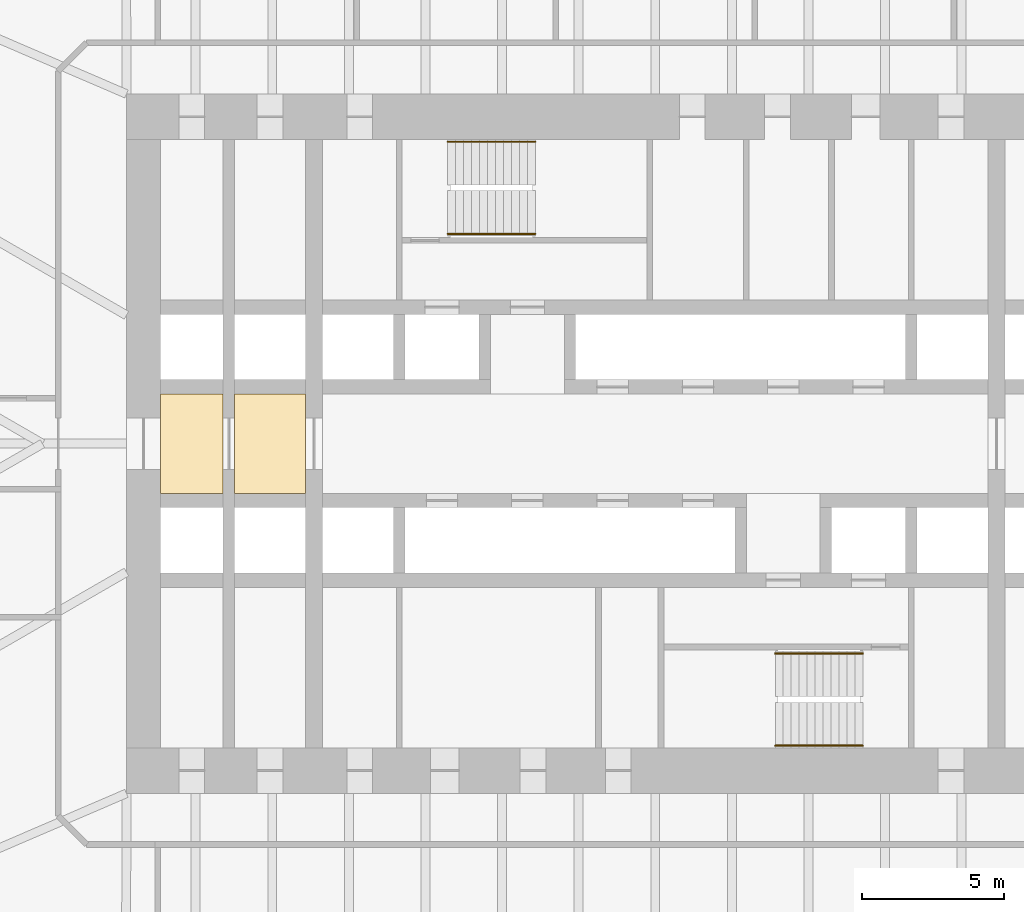
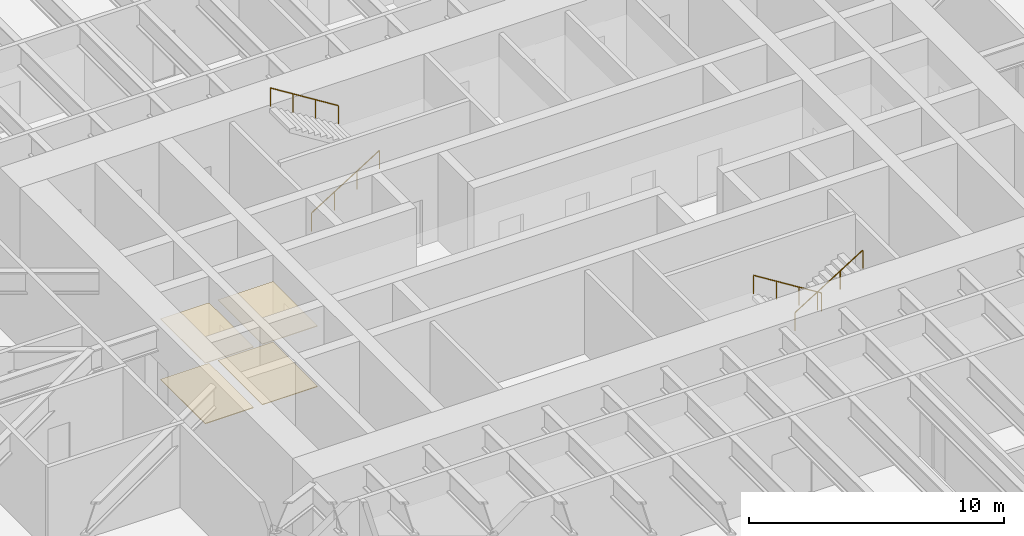
# One storey, part 21 of 23: 4 coverings, 4 railings.
"""IFC4 building model written with IfcOpenShell, lengths in metres."""

from ifc_helpers import new_model, si_unit, direction, frame, origin, origin_2d, place, context, subcontext, project, spatial, polyline, circle, outline, extrude, material, layer, layer_set, type_object, element, save


model = new_model("IFC4")

# Units and contexts
model_context = context("Model", 3, precision=1e-05, world=origin(), true_north=direction((0.0, 1.0)))
body_context = subcontext(model_context, "Body", "Model", "MODEL_VIEW")
ifc_project = project(units=[si_unit("LENGTHUNIT", "METRE"), si_unit("AREAUNIT", "SQUARE_METRE"), si_unit("VOLUMEUNIT", "CUBIC_METRE"), si_unit("PLANEANGLEUNIT", "RADIAN"), si_unit("MASSUNIT", "GRAM", prefix="KILO")], contexts=[model_context])

# Site, building, storey
site_placement = place(None, origin())
site = spatial("IfcSite", under=ifc_project, at=site_placement, CompositionType="ELEMENT")
building_placement = place(site_placement, origin())
building = spatial("IfcBuilding", under=site, at=building_placement, Name="Tarfa Lantern Tower", CompositionType="ELEMENT")
storey_placement = place(building_placement, frame((0.0, 0.0, 61.300048828125)))
storey = spatial("IfcBuildingStorey", under=building, at=storey_placement, Name="L13", CompositionType="ELEMENT", Elevation=61.300048828125)

# Coverings
ifc_material_1 = material(Name="Powder-coated aluminium panel", Category="aluminium")
ifc_layer_1 = layer(ifc_material_1, 0.030029296875)
ifc_layer_set_1 = layer_set([ifc_layer_1], Name="CL3 METAL PANEL CEILING 30")
covering_type_1 = type_object("IfcCoveringType", Name="CL3 METAL PANEL CEILING 30", PredefinedType="CEILING", material=ifc_layer_set_1)
covering_1_placement = place(storey_placement, frame((0.0, 0.0, 2.89990234375)))
element("IfcCovering", 1, at=covering_1_placement, inside=storey, type_object=covering_type_1, Name="Ceiling L13-01", PredefinedType="CEILING", context=body_context, shape_type="SweptSolid", body=[
    extrude(outline(polyline([(-17.39990234375, -1.75), (-15.199951171875, -1.75), (-15.199951171875, 1.75), (-17.39990234375, 1.75), (-17.39990234375, -1.75)])), origin(), (0.0, 0.0, 1.0), 0.030029296875),
])
covering_2_placement = place(storey_placement, frame((0.0, 0.0, 2.89990234375)))
element("IfcCovering", 2, at=covering_2_placement, inside=storey, type_object=covering_type_1, Name="Ceiling L13-02", PredefinedType="CEILING", context=body_context, shape_type="SweptSolid", body=[
    extrude(outline(polyline([(-14.800048828125, -1.75), (-12.300048828125, -1.75), (-12.300048828125, 1.75), (-14.800048828125, 1.75), (-14.800048828125, -1.75)])), origin(), (0.0, 0.0, 1.0), 0.030029296875),
])
ifc_material_2 = material(Name="Honed limestone flooring", Category="masonry")
ifc_layer_2 = layer(ifc_material_2, 0.030029296875)
ifc_layer_set_2 = layer_set([ifc_layer_2], Name="FL2 STONE FLOORING 30")
covering_type_2 = type_object("IfcCoveringType", Name="FL2 STONE FLOORING 30", PredefinedType="FLOORING", material=ifc_layer_set_2)
covering_3_placement = place(storey_placement, origin())
element("IfcCovering", 3, at=covering_3_placement, inside=storey, type_object=covering_type_2, Name="Floor finish L13-01", PredefinedType="FLOORING", context=body_context, shape_type="SweptSolid", body=[
    extrude(outline(polyline([(-17.39990234375, -1.75), (-15.199951171875, -1.75), (-15.199951171875, 1.75), (-17.39990234375, 1.75), (-17.39990234375, -1.75)])), origin(), (0.0, 0.0, 1.0), 0.030029296875),
])
covering_4_placement = place(storey_placement, origin())
element("IfcCovering", 4, at=covering_4_placement, inside=storey, type_object=covering_type_2, Name="Floor finish L13-02", PredefinedType="FLOORING", context=body_context, shape_type="SweptSolid", body=[
    extrude(outline(polyline([(-14.800048828125, -1.75), (-12.300048828125, -1.75), (-12.300048828125, 1.75), (-14.800048828125, 1.75), (-14.800048828125, -1.75)])), origin(), (0.0, 0.0, 1.0), 0.030029296875),
])

# Railings
ifc_material_3 = material(Name="Stainless steel", Category="steel")
railing_type = type_object("IfcRailingType", Name="HR1 HANDRAIL 900", PredefinedType="HANDRAIL", material=ifc_material_3)
railing_1_placement = place(storey_placement, frame((-7.300048828125, 7.3798828125, 0.175048828125)))
element("IfcRailing", 5, at=railing_1_placement, inside=storey, type_object=railing_type, Name="Handrail 1", PredefinedType="HANDRAIL", context=body_context, shape_type="SweptSolid", body=[
    extrude(circle(Radius=0.02392578125, at=origin_2d()), frame((0.0, 0.0, 0.8759765625), z_axis=(0.848028513186, 0.0, 0.529950602248), x_axis=(0.0, 1.0, 0.0)), (0.0, 0.0, 1.0), 3.632080078125),
    extrude(circle(Radius=0.02099609375, at=origin_2d()), frame((0.0, 0.0, 0.0), z_axis=(0.0, 0.0, 1.0), x_axis=(0.0, 1.0, 0.0)), (0.0, 0.0, 1.0), 0.851806640625),
    extrude(circle(Radius=0.02099609375, at=origin_2d()), frame((1.026611328125, 0.0, 0.6416015625), z_axis=(0.0, 0.0, 1.0), x_axis=(0.0, 1.0, 0.0)), (0.0, 0.0, 1.0), 0.851806640625),
    extrude(circle(Radius=0.02099609375, at=origin_2d()), frame((2.053466796875, 0.0, 1.283203125), z_axis=(0.0, 0.0, 1.0), x_axis=(0.0, 1.0, 0.0)), (0.0, 0.0, 1.0), 0.851806640625),
    extrude(circle(Radius=0.02099609375, at=origin_2d()), frame((3.080078125, 0.0, 1.9248046875), z_axis=(0.0, 0.0, 1.0), x_axis=(0.0, 1.0, 0.0)), (0.0, 0.0, 1.0), 0.851806640625),
])
railing_2_placement = place(storey_placement, frame((-4.219970703125, 10.6201171875, 2.27490234375)))
element("IfcRailing", 6, at=railing_2_placement, inside=storey, type_object=railing_type, Name="Handrail 2", PredefinedType="HANDRAIL", context=body_context, shape_type="SweptSolid", body=[
    extrude(circle(Radius=0.02392578125, at=origin_2d()), frame((0.0, 0.0, 0.8759765625), z_axis=(-0.847998304005, 0.0, 0.529998940003), x_axis=(0.0, -1.0, 0.0)), (0.0, 0.0, 1.0), 3.632080078125),
    extrude(circle(Radius=0.02099609375, at=origin_2d()), frame((0.0, 0.0, 0.0), z_axis=(0.0, 0.0, 1.0), x_axis=(0.0, -1.0, 0.0)), (0.0, 0.0, 1.0), 0.851806640625),
    extrude(circle(Radius=0.02099609375, at=origin_2d()), frame((-1.026611328125, 0.0, 0.6416015625), z_axis=(0.0, 0.0, 1.0), x_axis=(0.0, -1.0, 0.0)), (0.0, 0.0, 1.0), 0.851806640625),
    extrude(circle(Radius=0.02099609375, at=origin_2d()), frame((-2.053466796875, 0.0, 1.283447265625), z_axis=(0.0, 0.0, 1.0), x_axis=(0.0, -1.0, 0.0)), (0.0, 0.0, 1.0), 0.851806640625),
    extrude(circle(Radius=0.02099609375, at=origin_2d()), frame((-3.080078125, 0.0, 1.925048828125), z_axis=(0.0, 0.0, 1.0), x_axis=(0.0, -1.0, 0.0)), (0.0, 0.0, 1.0), 0.851806640625),
])
railing_3_placement = place(storey_placement, frame((7.300048828125, -7.3798828125, 0.175048828125)))
element("IfcRailing", 7, at=railing_3_placement, inside=storey, type_object=railing_type, Name="Handrail 1", PredefinedType="HANDRAIL", context=body_context, shape_type="SweptSolid", body=[
    extrude(circle(Radius=0.02392578125, at=origin_2d()), frame((0.0, 0.0, 0.8759765625), z_axis=(-0.848028513186, 0.0, 0.529950602248), x_axis=(0.0, -1.0, 0.0)), (0.0, 0.0, 1.0), 3.632080078125),
    extrude(circle(Radius=0.02099609375, at=origin_2d()), frame((0.0, 0.0, 0.0), z_axis=(0.0, 0.0, 1.0), x_axis=(0.0, -1.0, 0.0)), (0.0, 0.0, 1.0), 0.851806640625),
    extrude(circle(Radius=0.02099609375, at=origin_2d()), frame((-1.026611328125, 0.0, 0.6416015625), z_axis=(0.0, 0.0, 1.0), x_axis=(0.0, -1.0, 0.0)), (0.0, 0.0, 1.0), 0.851806640625),
    extrude(circle(Radius=0.02099609375, at=origin_2d()), frame((-2.053466796875, 0.0, 1.283203125), z_axis=(0.0, 0.0, 1.0), x_axis=(0.0, -1.0, 0.0)), (0.0, 0.0, 1.0), 0.851806640625),
    extrude(circle(Radius=0.02099609375, at=origin_2d()), frame((-3.080078125, 0.0, 1.9248046875), z_axis=(0.0, 0.0, 1.0), x_axis=(0.0, -1.0, 0.0)), (0.0, 0.0, 1.0), 0.851806640625),
])
railing_4_placement = place(storey_placement, frame((4.219970703125, -10.6201171875, 2.27490234375)))
element("IfcRailing", 8, at=railing_4_placement, inside=storey, type_object=railing_type, Name="Handrail 2", PredefinedType="HANDRAIL", context=body_context, shape_type="SweptSolid", body=[
    extrude(circle(Radius=0.02392578125, at=origin_2d()), frame((0.0, 0.0, 0.8759765625), z_axis=(0.847998304005, 0.0, 0.529998940003), x_axis=(0.0, 1.0, 0.0)), (0.0, 0.0, 1.0), 3.632080078125),
    extrude(circle(Radius=0.02099609375, at=origin_2d()), frame((0.0, 0.0, 0.0), z_axis=(0.0, 0.0, 1.0), x_axis=(0.0, 1.0, 0.0)), (0.0, 0.0, 1.0), 0.851806640625),
    extrude(circle(Radius=0.02099609375, at=origin_2d()), frame((1.026611328125, 0.0, 0.6416015625), z_axis=(0.0, 0.0, 1.0), x_axis=(0.0, 1.0, 0.0)), (0.0, 0.0, 1.0), 0.851806640625),
    extrude(circle(Radius=0.02099609375, at=origin_2d()), frame((2.053466796875, 0.0, 1.283447265625), z_axis=(0.0, 0.0, 1.0), x_axis=(0.0, 1.0, 0.0)), (0.0, 0.0, 1.0), 0.851806640625),
    extrude(circle(Radius=0.02099609375, at=origin_2d()), frame((3.080078125, 0.0, 1.925048828125), z_axis=(0.0, 0.0, 1.0), x_axis=(0.0, 1.0, 0.0)), (0.0, 0.0, 1.0), 0.851806640625),
])

save(model, "model.ifc")
